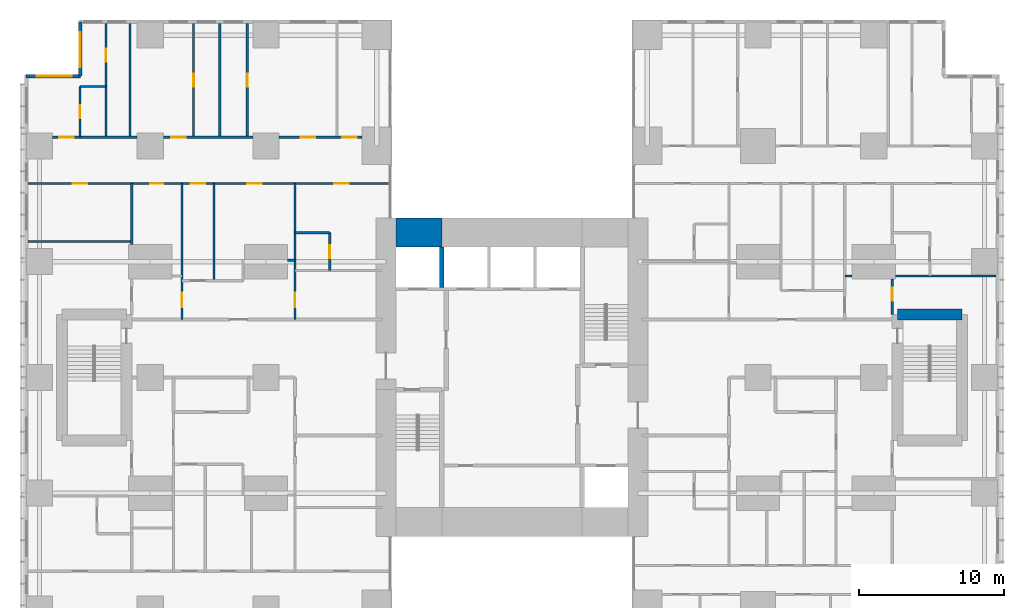
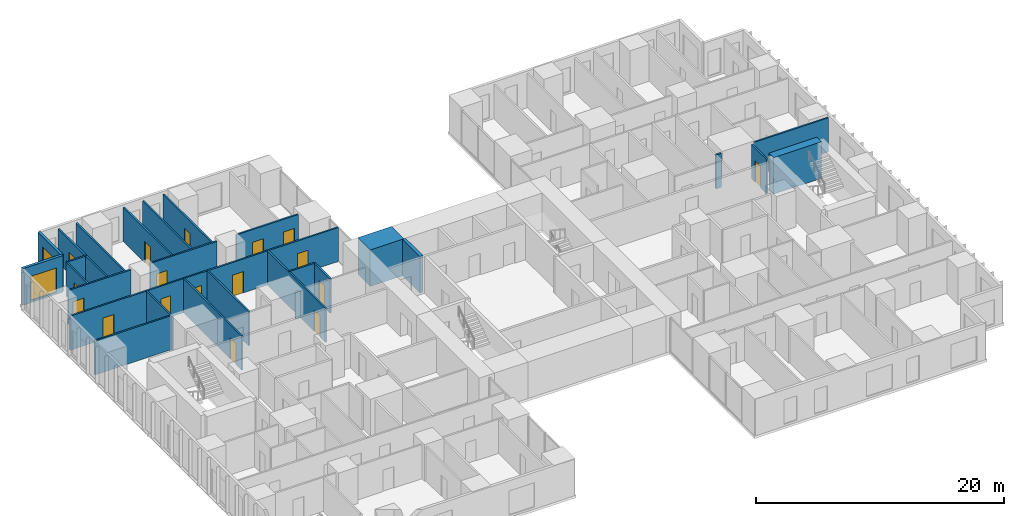
# One storey, part 16 of 20: 27 walls, 17 doors, 2 windows, 19 openings.
"""IFC4 building model written with IfcOpenShell, lengths in metres."""

from ifc_helpers import new_model, si_unit, direction, frame, frame_2d, origin, place, context, subcontext, project, spatial, rectangle, extrude, material, layer, layer_set, type_object, element, fill, save


model = new_model("IFC4")

# Units and contexts
model_context = context("Model", 3, precision=1e-05, world=origin(), true_north=direction((0.0, 1.0)))
body_context = subcontext(model_context, "Body", "Model", "MODEL_VIEW")
ifc_project = project(units=[si_unit("LENGTHUNIT", "METRE"), si_unit("AREAUNIT", "SQUARE_METRE"), si_unit("VOLUMEUNIT", "CUBIC_METRE"), si_unit("PLANEANGLEUNIT", "RADIAN"), si_unit("MASSUNIT", "GRAM", prefix="KILO")], contexts=[model_context])

# Site, building, storey
site_placement = place(None, origin())
site = spatial("IfcSite", under=ifc_project, at=site_placement, CompositionType="ELEMENT")
building_placement = place(site_placement, origin())
building = spatial("IfcBuilding", under=site, at=building_placement, Name="Cleftline Residences", CompositionType="ELEMENT")
storey_placement = place(building_placement, frame((0.0, 0.0, 211.0)))
storey = spatial("IfcBuildingStorey", under=building, at=storey_placement, Name="L55", CompositionType="ELEMENT", Elevation=211.0)

# Walls
ifc_material_1 = material(Name="Concrete B70", Category="concrete")
ifc_layer_1 = layer(ifc_material_1, 2.0)
ifc_layer_set_1 = layer_set([ifc_layer_1], Name="CORE WALL 2000")
wall_type_1 = type_object("IfcWallType", Name="CORE WALL 2000", PredefinedType="SHEAR", material=ifc_layer_set_1)
wall_1_placement = place(storey_placement, frame((25.0, 34.0, 0.0), z_axis=(0.0, 0.0, 1.0), x_axis=(1.0, 0.0, 0.0)))
element("IfcWall", 1, at=wall_1_placement, inside=storey, type_object=wall_type_1, Name="Core wall N1", PredefinedType="SHEAR", context=body_context, shape_type="SweptSolid", body=[
    extrude(rectangle(XDim=3.14990234375, YDim=2.0, at=frame_2d((1.574951171875, 0.0))), origin(), (0.0, 0.0, 1.0), 3.60009765625),
])
ifc_material_2 = material(Name="Concrete B70", Category="concrete")
ifc_layer_2 = layer(ifc_material_2, 0.300048828125)
ifc_layer_set_2 = layer_set([ifc_layer_2], Name="CORE WALL 300")
wall_type_2 = type_object("IfcWallType", Name="CORE WALL 300", PredefinedType="SHEAR", material=ifc_layer_set_2)
wall_2_placement = place(storey_placement, frame((28.14990234375, 30.199951171875, 0.0), z_axis=(0.0, 0.0, 1.0), x_axis=(0.0, 1.0, 0.0)))
element("IfcWall", 2, at=wall_2_placement, inside=storey, type_object=wall_type_2, Name="Lift shaft wall", PredefinedType="SHEAR", context=body_context, shape_type="SweptSolid", body=[
    extrude(rectangle(XDim=2.800048828125, YDim=0.300048828125, at=frame_2d((1.39990234375, 0.0))), origin(), (0.0, 0.0, 1.0), 3.60009765625),
])

# Wall, opening, window
ifc_material_3 = material(Name="Rendered reinforced concrete blockwork", Category="masonry")
ifc_layer_3 = layer(ifc_material_3, 0.25)
ifc_layer_set_3 = layer_set([ifc_layer_3], Name="EXTERNAL WALL 250")
wall_type_3 = type_object("IfcWallType", Name="EXTERNAL WALL 250", PredefinedType="SOLIDWALL", material=ifc_layer_set_3)
wall_3_placement = place(storey_placement, frame((3.175048828125, 48.574951171875, 0.0), z_axis=(0.0, 0.0, 1.0), x_axis=(0.0, -1.0, 0.0)))
wall_3 = element("IfcWall", 3, at=wall_3_placement, inside=storey, type_object=wall_type_3, Name="External wall", PredefinedType="SOLIDWALL", context=body_context, shape_type="SweptSolid", body=[
    extrude(rectangle(XDim=3.75, YDim=0.25, at=frame_2d((1.875, 0.0))), origin(), (0.0, 0.0, 1.0), 3.60009765625),
])
opening_1_placement = place(wall_3_placement, frame((0.737548828125, 0.0, 0.199951171875)))
opening_1 = element("IfcOpeningElement", 4, at=opening_1_placement, cuts=wall_3, Name="Opening W9", PredefinedType="OPENING", context=body_context, shape_type="SweptSolid", body=[
    extrude(rectangle(XDim=2.39990234375, YDim=2.39990234375, at=frame_2d((1.199951171875, 1.199951171875))), frame((0.0, 0.135009765625, 0.0), z_axis=(0.0, -1.0, 0.0), x_axis=(1.0, 0.0, 0.0)), (0.0, 0.0, 1.0), 0.27001953125),
])
ifc_material_4 = material(Name="Aluminium frame, clear double glazing", Category="aluminium")
window_type = type_object("IfcWindowType", Name="WINDOW 2400X2400", PartitioningType="DOUBLE_PANEL_VERTICAL", PredefinedType="WINDOW", material=ifc_material_4)
window_1_placement = place(opening_1_placement, origin())
window_1 = element("IfcWindow", 5, at=window_1_placement, inside=storey, type_object=window_type, Name="Window", OverallHeight=2.39990234375, OverallWidth=2.39990234375, PartitioningType="SINGLE_PANEL", PredefinedType="WINDOW", context=body_context, shape_type="SweptSolid", body=[
    extrude(rectangle(XDim=2.39990234375, YDim=2.39990234375, at=frame_2d((1.199951171875, 1.199951171875))), frame((0.0, 0.030029296875, 0.0), z_axis=(0.0, -1.0, 0.0), x_axis=(1.0, 0.0, 0.0)), (0.0, 0.0, 1.0), 0.06005859375),
])
fill(opening_1, window_1)

wall_4_placement = place(storey_placement, frame((3.175048828125, 44.824951171875, 0.0), z_axis=(0.0, 0.0, 1.0), x_axis=(-1.0, 0.0, 0.0)))
wall_4 = element("IfcWall", 6, at=wall_4_placement, inside=storey, type_object=wall_type_3, Name="External wall", PredefinedType="SOLIDWALL", context=body_context, shape_type="SweptSolid", body=[
    extrude(rectangle(XDim=3.75, YDim=0.25, at=frame_2d((1.875, 0.0))), origin(), (0.0, 0.0, 1.0), 3.60009765625),
])
opening_2_placement = place(wall_4_placement, frame((0.612548828125, 0.0, 0.199951171875)))
opening_2 = element("IfcOpeningElement", 7, at=opening_2_placement, cuts=wall_4, Name="Opening W9", PredefinedType="OPENING", context=body_context, shape_type="SweptSolid", body=[
    extrude(rectangle(XDim=2.39990234375, YDim=2.39990234375, at=frame_2d((1.199951171875, 1.199951171875))), frame((0.0, 0.135009765625, 0.0), z_axis=(0.0, -1.0, 0.0), x_axis=(1.0, 0.0, 0.0)), (0.0, 0.0, 1.0), 0.27001953125),
])
window_2_placement = place(opening_2_placement, origin())
window_2 = element("IfcWindow", 8, at=window_2_placement, inside=storey, type_object=window_type, Name="Window", OverallHeight=2.39990234375, OverallWidth=2.39990234375, PartitioningType="SINGLE_PANEL", PredefinedType="WINDOW", context=body_context, shape_type="SweptSolid", body=[
    extrude(rectangle(XDim=2.39990234375, YDim=2.39990234375, at=frame_2d((1.199951171875, 1.199951171875))), frame((0.0, 0.030029296875, 0.0), z_axis=(0.0, -1.0, 0.0), x_axis=(1.0, 0.0, 0.0)), (0.0, 0.0, 1.0), 0.06005859375),
])
fill(opening_2, window_2)

# Walls
ifc_material_5 = material(Name="Gypsum board on steel studs", Category="steel")
ifc_layer_4 = layer(ifc_material_5, 0.14990234375)
ifc_layer_set_4 = layer_set([ifc_layer_4], Name="PARTITION 150")
wall_type_4 = type_object("IfcWallType", Name="PARTITION 150", PredefinedType="PARTITIONING", material=ifc_layer_set_4)
wall_5_placement = place(storey_placement, frame((56.0, 31.0, 0.0), z_axis=(0.0, 0.0, 1.0), x_axis=(1.0, 0.0, 0.0)))
element("IfcWall", 9, at=wall_5_placement, inside=storey, type_object=wall_type_4, Name="Partition", PredefinedType="PARTITIONING", context=body_context, shape_type="SweptSolid", body=[
    extrude(rectangle(XDim=0.5, YDim=0.14990234375, at=frame_2d((0.25, 0.0))), origin(), (0.0, 0.0, 1.0), 3.35009765625),
])
wall_6_placement = place(storey_placement, frame((59.5, 31.0, 0.0), z_axis=(0.0, 0.0, 1.0), x_axis=(1.0, 0.0, 0.0)))
element("IfcWall", 10, at=wall_6_placement, inside=storey, type_object=wall_type_4, Name="Partition", PredefinedType="PARTITIONING", context=body_context, shape_type="SweptSolid", body=[
    extrude(rectangle(XDim=6.949951171875, YDim=0.14990234375, at=frame_2d((3.47509765625, 0.0))), origin(), (0.0, 0.0, 1.0), 3.35009765625),
])
wall_7_placement = place(storey_placement, frame((17.5, 32.10009765625, 0.0), z_axis=(0.0, 0.0, 1.0), x_axis=(1.0, 0.0, 0.0)))
element("IfcWall", 11, at=wall_7_placement, inside=storey, type_object=wall_type_4, Name="Partition", PredefinedType="PARTITIONING", context=body_context, shape_type="SweptSolid", body=[
    extrude(rectangle(XDim=0.5, YDim=0.14990234375, at=frame_2d((0.25, 0.0))), origin(), (0.0, 0.0, 1.0), 2.634033203125),
])
wall_8_placement = place(storey_placement, frame((-0.449951171875, 33.39990234375, 0.0), z_axis=(0.0, 0.0, 1.0), x_axis=(1.0, 0.0, 0.0)))
element("IfcWall", 12, at=wall_8_placement, inside=storey, type_object=wall_type_4, Name="Partition", PredefinedType="PARTITIONING", context=body_context, shape_type="SweptSolid", body=[
    extrude(rectangle(XDim=7.175048828125, YDim=0.14990234375, at=frame_2d((3.58740234375, 0.0))), origin(), (0.0, 0.0, 1.0), 3.35009765625),
])
wall_9_placement = place(storey_placement, frame((18.0, 34.0, 0.0), z_axis=(0.0, 0.0, 1.0), x_axis=(1.0, 0.0, 0.0)))
element("IfcWall", 13, at=wall_9_placement, inside=storey, type_object=wall_type_4, Name="Partition", PredefinedType="PARTITIONING", context=body_context, shape_type="SweptSolid", body=[
    extrude(rectangle(XDim=2.39990234375, YDim=0.14990234375, at=frame_2d((1.199951171875, 0.0))), origin(), (0.0, 0.0, 1.0), 3.35009765625),
])

# Wall, openings, doors
wall_10_placement = place(storey_placement, frame((-0.449951171875, 37.39990234375, 0.0), z_axis=(0.0, 0.0, 1.0), x_axis=(1.0, 0.0, 0.0)))
wall_10 = element("IfcWall", 14, at=wall_10_placement, inside=storey, type_object=wall_type_4, Name="Partition", PredefinedType="PARTITIONING", context=body_context, shape_type="SweptSolid", body=[
    extrude(rectangle(XDim=25.010986328125, YDim=0.14990234375, at=frame_2d((12.50537109375, 0.0))), origin(), (0.0, 0.0, 1.0), 3.35009765625),
])
opening_3_placement = place(wall_10_placement, frame((11.25, 0.0, 0.0)))
opening_3 = element("IfcOpeningElement", 15, at=opening_3_placement, cuts=wall_10, Name="Opening D2", PredefinedType="OPENING", context=body_context, shape_type="SweptSolid", body=[
    extrude(rectangle(XDim=1.0, YDim=2.10009765625, at=frame_2d((0.5, 1.050048828125))), frame((0.0, 0.0849609375, 0.0), z_axis=(0.0, -1.0, 0.0), x_axis=(1.0, 0.0, 0.0)), (0.0, 0.0, 1.0), 0.169921875),
])
opening_4_placement = place(wall_10_placement, frame((3.08740234375, 0.0, 0.0)))
opening_4 = element("IfcOpeningElement", 16, at=opening_4_placement, cuts=wall_10, Name="Opening D2", PredefinedType="OPENING", context=body_context, shape_type="SweptSolid", body=[
    extrude(rectangle(XDim=1.0, YDim=2.10009765625, at=frame_2d((0.5, 1.050048828125))), frame((0.0, 0.0849609375, 0.0), z_axis=(0.0, -1.0, 0.0), x_axis=(1.0, 0.0, 0.0)), (0.0, 0.0, 1.0), 0.169921875),
])
opening_5_placement = place(wall_10_placement, frame((8.46240234375, 0.0, 0.0)))
opening_5 = element("IfcOpeningElement", 17, at=opening_5_placement, cuts=wall_10, Name="Opening D1", PredefinedType="OPENING", context=body_context, shape_type="SweptSolid", body=[
    extrude(rectangle(XDim=0.89990234375, YDim=2.10009765625, at=frame_2d((0.449951171875, 1.050048828125))), frame((0.0, 0.0849609375, 0.0), z_axis=(0.0, -1.0, 0.0), x_axis=(1.0, 0.0, 0.0)), (0.0, 0.0, 1.0), 0.169921875),
])
opening_6_placement = place(wall_10_placement, frame((15.14990234375, 0.0, 0.0)))
opening_6 = element("IfcOpeningElement", 18, at=opening_6_placement, cuts=wall_10, Name="Opening D2", PredefinedType="OPENING", context=body_context, shape_type="SweptSolid", body=[
    extrude(rectangle(XDim=1.0, YDim=2.10009765625, at=frame_2d((0.5, 1.050048828125))), frame((0.0, 0.0849609375, 0.0), z_axis=(0.0, -1.0, 0.0), x_axis=(1.0, 0.0, 0.0)), (0.0, 0.0, 1.0), 0.169921875),
])
opening_7_placement = place(wall_10_placement, frame((21.175048828125, 0.0, 0.0)))
opening_7 = element("IfcOpeningElement", 19, at=opening_7_placement, cuts=wall_10, Name="Opening D2", PredefinedType="OPENING", context=body_context, shape_type="SweptSolid", body=[
    extrude(rectangle(XDim=1.0, YDim=2.10009765625, at=frame_2d((0.5, 1.050048828125))), frame((0.0, 0.0849609375, 0.0), z_axis=(0.0, -1.0, 0.0), x_axis=(1.0, 0.0, 0.0)), (0.0, 0.0, 1.0), 0.169921875),
])
ifc_material_6 = material(Name="Timber veneer on solid core", Category="wood")
door_type_1 = type_object("IfcDoorType", Name="DOOR 1000X2100", OperationType="SINGLE_SWING_LEFT", PredefinedType="DOOR", material=ifc_material_6)
door_1_placement = place(opening_3_placement, origin())
door_1 = element("IfcDoor", 20, at=door_1_placement, inside=storey, type_object=door_type_1, Name="Door to residence hall", OperationType="SINGLE_SWING_RIGHT", OverallHeight=2.10009765625, OverallWidth=1.0, PredefinedType="DOOR", context=body_context, shape_type="SweptSolid", body=[
    extrude(rectangle(XDim=1.0, YDim=2.10009765625, at=frame_2d((0.5, 1.050048828125))), frame((0.0, 0.02490234375, 0.0), z_axis=(0.0, -1.0, 0.0), x_axis=(1.0, 0.0, 0.0)), (0.0, 0.0, 1.0), 0.050048828125),
])
fill(opening_3, door_1)
door_2_placement = place(opening_4_placement, origin())
door_2 = element("IfcDoor", 21, at=door_2_placement, inside=storey, type_object=door_type_1, Name="Door to study", OperationType="SINGLE_SWING_RIGHT", OverallHeight=2.10009765625, OverallWidth=1.0, PredefinedType="DOOR", context=body_context, shape_type="SweptSolid", body=[
    extrude(rectangle(XDim=1.0, YDim=2.10009765625, at=frame_2d((0.5, 1.050048828125))), frame((0.0, 0.02490234375, 0.0), z_axis=(0.0, -1.0, 0.0), x_axis=(1.0, 0.0, 0.0)), (0.0, 0.0, 1.0), 0.050048828125),
])
fill(opening_4, door_2)
door_3_placement = place(opening_6_placement, origin())
door_3 = element("IfcDoor", 22, at=door_3_placement, inside=storey, type_object=door_type_1, Name="Door to media room", OperationType="SINGLE_SWING_LEFT", OverallHeight=2.10009765625, OverallWidth=1.0, PredefinedType="DOOR", context=body_context, shape_type="SweptSolid", body=[
    extrude(rectangle(XDim=1.0, YDim=2.10009765625, at=frame_2d((0.5, 1.050048828125))), frame((0.0, 0.02490234375, 0.0), z_axis=(0.0, -1.0, 0.0), x_axis=(1.0, 0.0, 0.0)), (0.0, 0.0, 1.0), 0.050048828125),
])
fill(opening_6, door_3)
door_4_placement = place(opening_7_placement, origin())
door_4 = element("IfcDoor", 23, at=door_4_placement, inside=storey, type_object=door_type_1, Name="Door to bedroom 4", OperationType="SINGLE_SWING_LEFT", OverallHeight=2.10009765625, OverallWidth=1.0, PredefinedType="DOOR", context=body_context, shape_type="SweptSolid", body=[
    extrude(rectangle(XDim=1.0, YDim=2.10009765625, at=frame_2d((0.5, 1.050048828125))), frame((0.0, 0.02490234375, 0.0), z_axis=(0.0, -1.0, 0.0), x_axis=(1.0, 0.0, 0.0)), (0.0, 0.0, 1.0), 0.050048828125),
])
fill(opening_7, door_4)
ifc_material_7 = material(Name="Timber veneer on solid core", Category="wood")
door_type_2 = type_object("IfcDoorType", Name="DOOR 900X2100", OperationType="SINGLE_SWING_LEFT", PredefinedType="DOOR", material=ifc_material_7)
door_5_placement = place(opening_5_placement, origin())
door_5 = element("IfcDoor", 24, at=door_5_placement, inside=storey, type_object=door_type_2, Name="Door to guest bathroom", OperationType="SINGLE_SWING_RIGHT", OverallHeight=2.10009765625, OverallWidth=0.89990234375, PredefinedType="DOOR", context=body_context, shape_type="SweptSolid", body=[
    extrude(rectangle(XDim=0.89990234375, YDim=2.10009765625, at=frame_2d((0.449951171875, 1.050048828125))), frame((0.0, 0.02490234375, 0.0), z_axis=(0.0, -1.0, 0.0), x_axis=(1.0, 0.0, 0.0)), (0.0, 0.0, 1.0), 0.050048828125),
])
fill(opening_5, door_5)

# Wall, opening, door
wall_11_placement = place(storey_placement, frame((1.25, 40.60009765625, 0.0), z_axis=(0.0, 0.0, 1.0), x_axis=(1.0, 0.0, 0.0)))
wall_11 = element("IfcWall", 25, at=wall_11_placement, inside=storey, type_object=wall_type_4, Name="Partition", PredefinedType="PARTITIONING", context=body_context, shape_type="SweptSolid", body=[
    extrude(rectangle(XDim=5.85009765625, YDim=0.14990234375, at=frame_2d((2.925048828125, 0.0))), origin(), (0.0, 0.0, 1.0), 3.35009765625),
])
opening_8_placement = place(wall_11_placement, frame((0.449951171875, 0.0, 0.0)))
opening_8 = element("IfcOpeningElement", 26, at=opening_8_placement, cuts=wall_11, Name="Opening D2", PredefinedType="OPENING", context=body_context, shape_type="SweptSolid", body=[
    extrude(rectangle(XDim=1.0, YDim=2.10009765625, at=frame_2d((0.5, 1.050048828125))), frame((0.0, 0.0849609375, 0.0), z_axis=(0.0, -1.0, 0.0), x_axis=(1.0, 0.0, 0.0)), (0.0, 0.0, 1.0), 0.169921875),
])
door_6_placement = place(opening_8_placement, origin())
door_6 = element("IfcDoor", 27, at=door_6_placement, inside=storey, type_object=door_type_1, Name="Door to bedroom 2", OperationType="SINGLE_SWING_RIGHT", OverallHeight=2.10009765625, OverallWidth=1.0, PredefinedType="DOOR", context=body_context, shape_type="SweptSolid", body=[
    extrude(rectangle(XDim=1.0, YDim=2.10009765625, at=frame_2d((0.5, 1.050048828125))), frame((0.0, 0.02490234375, 0.0), z_axis=(0.0, -1.0, 0.0), x_axis=(1.0, 0.0, 0.0)), (0.0, 0.0, 1.0), 0.050048828125),
])
fill(opening_8, door_6)

wall_12_placement = place(storey_placement, frame((8.89990234375, 40.60009765625, 0.0), z_axis=(0.0, 0.0, 1.0), x_axis=(1.0, 0.0, 0.0)))
wall_12 = element("IfcWall", 28, at=wall_12_placement, inside=storey, type_object=wall_type_4, Name="Partition", PredefinedType="PARTITIONING", context=body_context, shape_type="SweptSolid", body=[
    extrude(rectangle(XDim=6.2001953125, YDim=0.14990234375, at=frame_2d((3.10009765625, 0.0))), origin(), (0.0, 0.0, 1.0), 3.35009765625),
])
opening_9_placement = place(wall_12_placement, frame((0.550048828125, 0.0, 0.0)))
opening_9 = element("IfcOpeningElement", 29, at=opening_9_placement, cuts=wall_12, Name="Opening D2", PredefinedType="OPENING", context=body_context, shape_type="SweptSolid", body=[
    extrude(rectangle(XDim=1.0, YDim=2.10009765625, at=frame_2d((0.5, 1.050048828125))), frame((0.0, 0.0849609375, 0.0), z_axis=(0.0, -1.0, 0.0), x_axis=(1.0, 0.0, 0.0)), (0.0, 0.0, 1.0), 0.169921875),
])
door_7_placement = place(opening_9_placement, origin())
door_7 = element("IfcDoor", 30, at=door_7_placement, inside=storey, type_object=door_type_1, Name="Door to bedroom 3", OperationType="SINGLE_SWING_RIGHT", OverallHeight=2.10009765625, OverallWidth=1.0, PredefinedType="DOOR", context=body_context, shape_type="SweptSolid", body=[
    extrude(rectangle(XDim=1.0, YDim=2.10009765625, at=frame_2d((0.5, 1.050048828125))), frame((0.0, 0.02490234375, 0.0), z_axis=(0.0, -1.0, 0.0), x_axis=(1.0, 0.0, 0.0)), (0.0, 0.0, 1.0), 0.050048828125),
])
fill(opening_9, door_7)

# Wall, openings, doors
wall_13_placement = place(storey_placement, frame((16.89990234375, 40.60009765625, 0.0), z_axis=(0.0, 0.0, 1.0), x_axis=(1.0, 0.0, 0.0)))
wall_13 = element("IfcWall", 31, at=wall_13_placement, inside=storey, type_object=wall_type_4, Name="Partition", PredefinedType="PARTITIONING", context=body_context, shape_type="SweptSolid", body=[
    extrude(rectangle(XDim=5.75, YDim=0.14990234375, at=frame_2d((2.875, 0.0))), origin(), (0.0, 0.0, 1.0), 3.35009765625),
])
opening_10_placement = place(wall_13_placement, frame((1.5, 0.0, 0.0)))
opening_10 = element("IfcOpeningElement", 32, at=opening_10_placement, cuts=wall_13, Name="Opening D2", PredefinedType="OPENING", context=body_context, shape_type="SweptSolid", body=[
    extrude(rectangle(XDim=1.0, YDim=2.10009765625, at=frame_2d((0.5, 1.050048828125))), frame((0.0, 0.0849609375, 0.0), z_axis=(0.0, -1.0, 0.0), x_axis=(1.0, 0.0, 0.0)), (0.0, 0.0, 1.0), 0.169921875),
])
opening_11_placement = place(wall_13_placement, frame((4.375, 0.0, 0.0)))
opening_11 = element("IfcOpeningElement", 33, at=opening_11_placement, cuts=wall_13, Name="Opening D2", PredefinedType="OPENING", context=body_context, shape_type="SweptSolid", body=[
    extrude(rectangle(XDim=1.0, YDim=2.10009765625, at=frame_2d((0.5, 1.050048828125))), frame((0.0, 0.0849609375, 0.0), z_axis=(0.0, -1.0, 0.0), x_axis=(1.0, 0.0, 0.0)), (0.0, 0.0, 1.0), 0.169921875),
])
door_8_placement = place(opening_10_placement, origin())
door_8 = element("IfcDoor", 34, at=door_8_placement, inside=storey, type_object=door_type_1, Name="Door to master bedroom", OperationType="SINGLE_SWING_RIGHT", OverallHeight=2.10009765625, OverallWidth=1.0, PredefinedType="DOOR", context=body_context, shape_type="SweptSolid", body=[
    extrude(rectangle(XDim=1.0, YDim=2.10009765625, at=frame_2d((0.5, 1.050048828125))), frame((0.0, 0.02490234375, 0.0), z_axis=(0.0, -1.0, 0.0), x_axis=(1.0, 0.0, 0.0)), (0.0, 0.0, 1.0), 0.050048828125),
])
fill(opening_10, door_8)
door_9_placement = place(opening_11_placement, origin())
door_9 = element("IfcDoor", 35, at=door_9_placement, inside=storey, type_object=door_type_1, Name="Door to master sitting room", OperationType="SINGLE_SWING_LEFT", OverallHeight=2.10009765625, OverallWidth=1.0, PredefinedType="DOOR", context=body_context, shape_type="SweptSolid", body=[
    extrude(rectangle(XDim=1.0, YDim=2.10009765625, at=frame_2d((0.5, 1.050048828125))), frame((0.0, 0.02490234375, 0.0), z_axis=(0.0, -1.0, 0.0), x_axis=(1.0, 0.0, 0.0)), (0.0, 0.0, 1.0), 0.050048828125),
])
fill(opening_11, door_9)

# Wall
wall_14_placement = place(storey_placement, frame((3.14990234375, 44.10009765625, 0.0), z_axis=(0.0, 0.0, 1.0), x_axis=(1.0, 0.0, 0.0)))
element("IfcWall", 36, at=wall_14_placement, inside=storey, type_object=wall_type_4, Name="Partition", PredefinedType="PARTITIONING", context=body_context, shape_type="SweptSolid", body=[
    extrude(rectangle(XDim=1.800048828125, YDim=0.14990234375, at=frame_2d((0.89990234375, 0.0))), origin(), (0.0, 0.0, 1.0), 3.35009765625),
])

# Wall, opening, door
wall_15_placement = place(storey_placement, frame((3.14990234375, 40.60009765625, 0.0), z_axis=(0.0, 0.0, 1.0), x_axis=(0.0, 1.0, 0.0)))
wall_15 = element("IfcWall", 37, at=wall_15_placement, inside=storey, type_object=wall_type_4, Name="Partition", PredefinedType="PARTITIONING", context=body_context, shape_type="SweptSolid", body=[
    extrude(rectangle(XDim=3.5, YDim=0.14990234375, at=frame_2d((1.75, 0.0))), origin(), (0.0, 0.0, 1.0), 3.35009765625),
])
opening_12_placement = place(wall_15_placement, frame((1.300048828125, 0.0, 0.0)))
opening_12 = element("IfcOpeningElement", 38, at=opening_12_placement, cuts=wall_15, Name="Opening D1", PredefinedType="OPENING", context=body_context, shape_type="SweptSolid", body=[
    extrude(rectangle(XDim=0.89990234375, YDim=2.10009765625, at=frame_2d((0.449951171875, 1.050048828125))), frame((0.0, 0.0849609375, 0.0), z_axis=(0.0, -1.0, 0.0), x_axis=(1.0, 0.0, 0.0)), (0.0, 0.0, 1.0), 0.169921875),
])
door_10_placement = place(opening_12_placement, origin())
door_10 = element("IfcDoor", 39, at=door_10_placement, inside=storey, type_object=door_type_2, Name="Door to en-suite bathroom 2", OperationType="SINGLE_SWING_LEFT", OverallHeight=2.10009765625, OverallWidth=0.89990234375, PredefinedType="DOOR", context=body_context, shape_type="SweptSolid", body=[
    extrude(rectangle(XDim=0.89990234375, YDim=2.10009765625, at=frame_2d((0.449951171875, 1.050048828125))), frame((0.0, 0.02490234375, 0.0), z_axis=(0.0, -1.0, 0.0), x_axis=(1.0, 0.0, 0.0)), (0.0, 0.0, 1.0), 0.050048828125),
])
fill(opening_12, door_10)

wall_16_placement = place(storey_placement, frame((4.949951171875, 40.60009765625, 0.0), z_axis=(0.0, 0.0, 1.0), x_axis=(0.0, 1.0, 0.0)))
wall_16 = element("IfcWall", 40, at=wall_16_placement, inside=storey, type_object=wall_type_4, Name="Partition", PredefinedType="PARTITIONING", context=body_context, shape_type="SweptSolid", body=[
    extrude(rectangle(XDim=7.849853515625, YDim=0.14990234375, at=frame_2d((3.9248046875, 0.0))), origin(), (0.0, 0.0, 1.0), 3.35009765625),
])
opening_13_placement = place(wall_16_placement, frame((5.22509765625, 0.0, 0.0)))
opening_13 = element("IfcOpeningElement", 41, at=opening_13_placement, cuts=wall_16, Name="Opening D1", PredefinedType="OPENING", context=body_context, shape_type="SweptSolid", body=[
    extrude(rectangle(XDim=0.89990234375, YDim=2.10009765625, at=frame_2d((0.449951171875, 1.050048828125))), frame((0.0, 0.0849609375, 0.0), z_axis=(0.0, -1.0, 0.0), x_axis=(1.0, 0.0, 0.0)), (0.0, 0.0, 1.0), 0.169921875),
])
door_11_placement = place(opening_13_placement, origin())
door_11 = element("IfcDoor", 42, at=door_11_placement, inside=storey, type_object=door_type_2, Name="Door to walk-in wardrobe", OperationType="SINGLE_SWING_LEFT", OverallHeight=2.10009765625, OverallWidth=0.89990234375, PredefinedType="DOOR", context=body_context, shape_type="SweptSolid", body=[
    extrude(rectangle(XDim=0.89990234375, YDim=2.10009765625, at=frame_2d((0.449951171875, 1.050048828125))), frame((0.0, 0.02490234375, 0.0), z_axis=(0.0, -1.0, 0.0), x_axis=(1.0, 0.0, 0.0)), (0.0, 0.0, 1.0), 0.050048828125),
])
fill(opening_13, door_11)

# Walls
wall_17_placement = place(storey_placement, frame((6.60009765625, 40.60009765625, 0.0), z_axis=(0.0, 0.0, 1.0), x_axis=(0.0, 1.0, 0.0)))
element("IfcWall", 43, at=wall_17_placement, inside=storey, type_object=wall_type_4, Name="Partition", PredefinedType="PARTITIONING", context=body_context, shape_type="SweptSolid", body=[
    extrude(rectangle(XDim=7.849853515625, YDim=0.14990234375, at=frame_2d((3.9248046875, 0.0))), origin(), (0.0, 0.0, 1.0), 3.35009765625),
])
wall_18_placement = place(storey_placement, frame((6.72509765625, 33.199951171875, 0.0), z_axis=(0.0, 0.0, 1.0), x_axis=(0.0, 1.0, 0.0)))
element("IfcWall", 44, at=wall_18_placement, inside=storey, type_object=wall_type_4, Name="Partition", PredefinedType="PARTITIONING", context=body_context, shape_type="SweptSolid", body=[
    extrude(rectangle(XDim=4.199951171875, YDim=0.14990234375, at=frame_2d((2.10009765625, 0.0))), origin(), (0.0, 0.0, 1.0), 3.35009765625),
])

# Wall, opening, door
wall_19_placement = place(storey_placement, frame((10.199951171875, 28.0, 0.0), z_axis=(0.0, 0.0, 1.0), x_axis=(0.0, 1.0, 0.0)))
wall_19 = element("IfcWall", 45, at=wall_19_placement, inside=storey, type_object=wall_type_4, Name="Partition", PredefinedType="PARTITIONING", context=body_context, shape_type="SweptSolid", body=[
    extrude(rectangle(XDim=9.39990234375, YDim=0.14990234375, at=frame_2d((4.699951171875, 0.0))), origin(), (0.0, 0.0, 1.0), 3.35009765625),
])
opening_14_placement = place(wall_19_placement, frame((0.83740234375, 0.0, 0.0)))
opening_14 = element("IfcOpeningElement", 46, at=opening_14_placement, cuts=wall_19, Name="Opening D2F30", PredefinedType="OPENING", context=body_context, shape_type="SweptSolid", body=[
    extrude(rectangle(XDim=1.0, YDim=2.10009765625, at=frame_2d((0.5, 1.050048828125))), frame((0.0, 0.0849609375, 0.0), z_axis=(0.0, -1.0, 0.0), x_axis=(1.0, 0.0, 0.0)), (0.0, 0.0, 1.0), 0.169921875),
])
ifc_material_8 = material(Name="Timber veneer on solid core", Category="wood")
door_type_3 = type_object("IfcDoorType", Name="DOOR 1000X2100 EI 30", OperationType="SINGLE_SWING_LEFT", PredefinedType="DOOR", material=ifc_material_8)
door_12_placement = place(opening_14_placement, origin())
door_12 = element("IfcDoor", 47, at=door_12_placement, inside=storey, type_object=door_type_3, Name="Door to residence lobby (service)", OperationType="SINGLE_SWING_RIGHT", OverallHeight=2.10009765625, OverallWidth=1.0, PredefinedType="DOOR", context=body_context, shape_type="SweptSolid", body=[
    extrude(rectangle(XDim=1.0, YDim=2.10009765625, at=frame_2d((0.5, 1.050048828125))), frame((0.0, 0.02490234375, 0.0), z_axis=(0.0, -1.0, 0.0), x_axis=(1.0, 0.0, 0.0)), (0.0, 0.0, 1.0), 0.050048828125),
])
fill(opening_14, door_12)

wall_20_placement = place(storey_placement, frame((11.0, 40.60009765625, 0.0), z_axis=(0.0, 0.0, 1.0), x_axis=(0.0, 1.0, 0.0)))
wall_20 = element("IfcWall", 48, at=wall_20_placement, inside=storey, type_object=wall_type_4, Name="Partition", PredefinedType="PARTITIONING", context=body_context, shape_type="SweptSolid", body=[
    extrude(rectangle(XDim=7.849853515625, YDim=0.14990234375, at=frame_2d((3.9248046875, 0.0))), origin(), (0.0, 0.0, 1.0), 3.35009765625),
])
opening_15_placement = place(wall_20_placement, frame((3.47509765625, 0.0, 0.0)))
opening_15 = element("IfcOpeningElement", 49, at=opening_15_placement, cuts=wall_20, Name="Opening D1", PredefinedType="OPENING", context=body_context, shape_type="SweptSolid", body=[
    extrude(rectangle(XDim=0.89990234375, YDim=2.10009765625, at=frame_2d((0.449951171875, 1.050048828125))), frame((0.0, 0.0849609375, 0.0), z_axis=(0.0, -1.0, 0.0), x_axis=(1.0, 0.0, 0.0)), (0.0, 0.0, 1.0), 0.169921875),
])
door_13_placement = place(opening_15_placement, origin())
door_13 = element("IfcDoor", 50, at=door_13_placement, inside=storey, type_object=door_type_2, Name="Door to en-suite bathroom 3", OperationType="SINGLE_SWING_LEFT", OverallHeight=2.10009765625, OverallWidth=0.89990234375, PredefinedType="DOOR", context=body_context, shape_type="SweptSolid", body=[
    extrude(rectangle(XDim=0.89990234375, YDim=2.10009765625, at=frame_2d((0.449951171875, 1.050048828125))), frame((0.0, 0.02490234375, 0.0), z_axis=(0.0, -1.0, 0.0), x_axis=(1.0, 0.0, 0.0)), (0.0, 0.0, 1.0), 0.050048828125),
])
fill(opening_15, door_13)

# Walls
wall_21_placement = place(storey_placement, frame((12.39990234375, 30.675048828125, 0.0), z_axis=(0.0, 0.0, 1.0), x_axis=(0.0, 1.0, 0.0)))
element("IfcWall", 51, at=wall_21_placement, inside=storey, type_object=wall_type_4, Name="Partition", PredefinedType="PARTITIONING", context=body_context, shape_type="SweptSolid", body=[
    extrude(rectangle(XDim=6.724853515625, YDim=0.14990234375, at=frame_2d((3.3623046875, 0.0))), origin(), (0.0, 0.0, 1.0), 3.35009765625),
])
wall_22_placement = place(storey_placement, frame((12.800048828125, 40.60009765625, 0.0), z_axis=(0.0, 0.0, 1.0), x_axis=(0.0, 1.0, 0.0)))
element("IfcWall", 52, at=wall_22_placement, inside=storey, type_object=wall_type_4, Name="Partition", PredefinedType="PARTITIONING", context=body_context, shape_type="SweptSolid", body=[
    extrude(rectangle(XDim=7.849853515625, YDim=0.14990234375, at=frame_2d((3.9248046875, 0.0))), origin(), (0.0, 0.0, 1.0), 3.35009765625),
])

# Wall, opening, door
wall_23_placement = place(storey_placement, frame((14.699951171875, 40.60009765625, 0.0), z_axis=(0.0, 0.0, 1.0), x_axis=(0.0, 1.0, 0.0)))
wall_23 = element("IfcWall", 53, at=wall_23_placement, inside=storey, type_object=wall_type_4, Name="Partition", PredefinedType="PARTITIONING", context=body_context, shape_type="SweptSolid", body=[
    extrude(rectangle(XDim=7.849853515625, YDim=0.14990234375, at=frame_2d((3.9248046875, 0.0))), origin(), (0.0, 0.0, 1.0), 3.35009765625),
])
opening_16_placement = place(wall_23_placement, frame((3.47509765625, 0.0, 0.0)))
opening_16 = element("IfcOpeningElement", 54, at=opening_16_placement, cuts=wall_23, Name="Opening D1", PredefinedType="OPENING", context=body_context, shape_type="SweptSolid", body=[
    extrude(rectangle(XDim=0.89990234375, YDim=2.10009765625, at=frame_2d((0.449951171875, 1.050048828125))), frame((0.0, 0.0849609375, 0.0), z_axis=(0.0, -1.0, 0.0), x_axis=(1.0, 0.0, 0.0)), (0.0, 0.0, 1.0), 0.169921875),
])
door_14_placement = place(opening_16_placement, origin())
door_14 = element("IfcDoor", 55, at=door_14_placement, inside=storey, type_object=door_type_2, Name="Door to master bathroom", OperationType="SINGLE_SWING_LEFT", OverallHeight=2.10009765625, OverallWidth=0.89990234375, PredefinedType="DOOR", context=body_context, shape_type="SweptSolid", body=[
    extrude(rectangle(XDim=0.89990234375, YDim=2.10009765625, at=frame_2d((0.449951171875, 1.050048828125))), frame((0.0, 0.02490234375, 0.0), z_axis=(0.0, -1.0, 0.0), x_axis=(1.0, 0.0, 0.0)), (0.0, 0.0, 1.0), 0.050048828125),
])
fill(opening_16, door_14)

wall_24_placement = place(storey_placement, frame((18.0, 28.0, 0.0), z_axis=(0.0, 0.0, 1.0), x_axis=(0.0, 1.0, 0.0)))
wall_24 = element("IfcWall", 56, at=wall_24_placement, inside=storey, type_object=wall_type_4, Name="Partition", PredefinedType="PARTITIONING", context=body_context, shape_type="SweptSolid", body=[
    extrude(rectangle(XDim=9.39990234375, YDim=0.14990234375, at=frame_2d((4.699951171875, 0.0))), origin(), (0.0, 0.0, 1.0), 3.35009765625),
])
opening_17_placement = place(wall_24_placement, frame((0.83740234375, 0.0, 0.0)))
opening_17 = element("IfcOpeningElement", 57, at=opening_17_placement, cuts=wall_24, Name="Opening D2", PredefinedType="OPENING", context=body_context, shape_type="SweptSolid", body=[
    extrude(rectangle(XDim=1.0, YDim=2.10009765625, at=frame_2d((0.5, 1.050048828125))), frame((0.0, 0.0849609375, 0.0), z_axis=(0.0, -1.0, 0.0), x_axis=(1.0, 0.0, 0.0)), (0.0, 0.0, 1.0), 0.169921875),
])
door_15_placement = place(opening_17_placement, origin())
door_15 = element("IfcDoor", 58, at=door_15_placement, inside=storey, type_object=door_type_1, Name="Door to morning kitchen", OperationType="SINGLE_SWING_RIGHT", OverallHeight=2.10009765625, OverallWidth=1.0, PredefinedType="DOOR", context=body_context, shape_type="SweptSolid", body=[
    extrude(rectangle(XDim=1.0, YDim=2.10009765625, at=frame_2d((0.5, 1.050048828125))), frame((0.0, 0.02490234375, 0.0), z_axis=(0.0, -1.0, 0.0), x_axis=(1.0, 0.0, 0.0)), (0.0, 0.0, 1.0), 0.050048828125),
])
fill(opening_17, door_15)

wall_25_placement = place(storey_placement, frame((20.39990234375, 31.39990234375, 0.0), z_axis=(0.0, 0.0, 1.0), x_axis=(0.0, 1.0, 0.0)))
wall_25 = element("IfcWall", 59, at=wall_25_placement, inside=storey, type_object=wall_type_4, Name="Partition", PredefinedType="PARTITIONING", context=body_context, shape_type="SweptSolid", body=[
    extrude(rectangle(XDim=2.60009765625, YDim=0.14990234375, at=frame_2d((1.300048828125, 0.0))), origin(), (0.0, 0.0, 1.0), 3.35009765625),
])
opening_18_placement = place(wall_25_placement, frame((0.85009765625, 0.0, 0.0)))
opening_18 = element("IfcOpeningElement", 60, at=opening_18_placement, cuts=wall_25, Name="Opening D1", PredefinedType="OPENING", context=body_context, shape_type="SweptSolid", body=[
    extrude(rectangle(XDim=0.89990234375, YDim=2.10009765625, at=frame_2d((0.449951171875, 1.050048828125))), frame((0.0, 0.0849609375, 0.0), z_axis=(0.0, -1.0, 0.0), x_axis=(1.0, 0.0, 0.0)), (0.0, 0.0, 1.0), 0.169921875),
])
door_16_placement = place(opening_18_placement, origin())
door_16 = element("IfcDoor", 61, at=door_16_placement, inside=storey, type_object=door_type_2, Name="Door to en-suite bathroom 4", OperationType="SINGLE_SWING_LEFT", OverallHeight=2.10009765625, OverallWidth=0.89990234375, PredefinedType="DOOR", context=body_context, shape_type="SweptSolid", body=[
    extrude(rectangle(XDim=0.89990234375, YDim=2.10009765625, at=frame_2d((0.449951171875, 1.050048828125))), frame((0.0, 0.02490234375, 0.0), z_axis=(0.0, -1.0, 0.0), x_axis=(1.0, 0.0, 0.0)), (0.0, 0.0, 1.0), 0.050048828125),
])
fill(opening_18, door_16)

wall_26_placement = place(storey_placement, frame((59.27490234375, 28.35009765625, 0.0), z_axis=(0.0, 0.0, 1.0), x_axis=(0.0, 1.0, 0.0)))
wall_26 = element("IfcWall", 62, at=wall_26_placement, inside=storey, type_object=wall_type_4, Name="Partition", PredefinedType="PARTITIONING", context=body_context, shape_type="SweptSolid", body=[
    extrude(rectangle(XDim=2.449951171875, YDim=0.14990234375, at=frame_2d((1.22509765625, 0.0))), origin(), (0.0, 0.0, 1.0), 3.35009765625),
])
opening_19_placement = place(wall_26_placement, frame((0.96240234375, 0.0, 0.0)))
opening_19 = element("IfcOpeningElement", 63, at=opening_19_placement, cuts=wall_26, Name="Opening D1", PredefinedType="OPENING", context=body_context, shape_type="SweptSolid", body=[
    extrude(rectangle(XDim=0.89990234375, YDim=2.10009765625, at=frame_2d((0.449951171875, 1.050048828125))), frame((0.0, 0.0849609375, 0.0), z_axis=(0.0, -1.0, 0.0), x_axis=(1.0, 0.0, 0.0)), (0.0, 0.0, 1.0), 0.169921875),
])
door_17_placement = place(opening_19_placement, origin())
door_17 = element("IfcDoor", 64, at=door_17_placement, inside=storey, type_object=door_type_2, Name="Door to master dressing room", OperationType="SINGLE_SWING_LEFT", OverallHeight=2.10009765625, OverallWidth=0.89990234375, PredefinedType="DOOR", context=body_context, shape_type="SweptSolid", body=[
    extrude(rectangle(XDim=0.89990234375, YDim=2.10009765625, at=frame_2d((0.449951171875, 1.050048828125))), frame((0.0, 0.02490234375, 0.0), z_axis=(0.0, -1.0, 0.0), x_axis=(1.0, 0.0, 0.0)), (0.0, 0.0, 1.0), 0.050048828125),
])
fill(opening_19, door_17)

# Wall
ifc_material_9 = material(Name="Concrete B70", Category="concrete")
ifc_layer_5 = layer(ifc_material_9, 0.75)
ifc_layer_set_5 = layer_set([ifc_layer_5], Name="SHEAR WALL 750")
wall_type_5 = type_object("IfcWallType", Name="SHEAR WALL 750", PredefinedType="SHEAR", material=ifc_layer_set_5)
wall_27_placement = place(storey_placement, frame((64.10009765625, 28.35009765625, 0.0), z_axis=(0.0, 0.0, 1.0), x_axis=(-1.0, 0.0, 0.0)))
element("IfcWall", 65, at=wall_27_placement, inside=storey, type_object=wall_type_5, Name="Wing shear wall", PredefinedType="SHEAR", context=body_context, shape_type="SweptSolid", body=[
    extrude(rectangle(XDim=4.4501953125, YDim=0.75, at=frame_2d((2.22509765625, 0.0))), origin(), (0.0, 0.0, 1.0), 3.60009765625),
])

save(model, "model.ifc")
